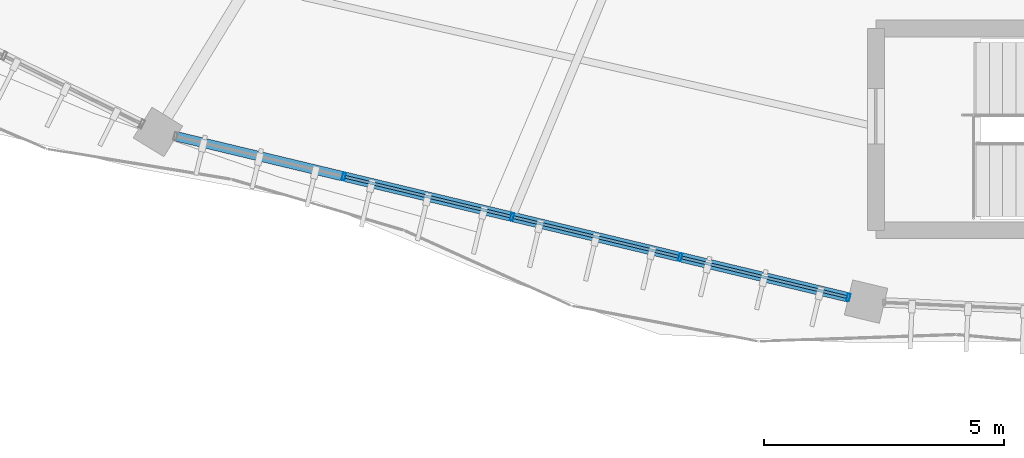
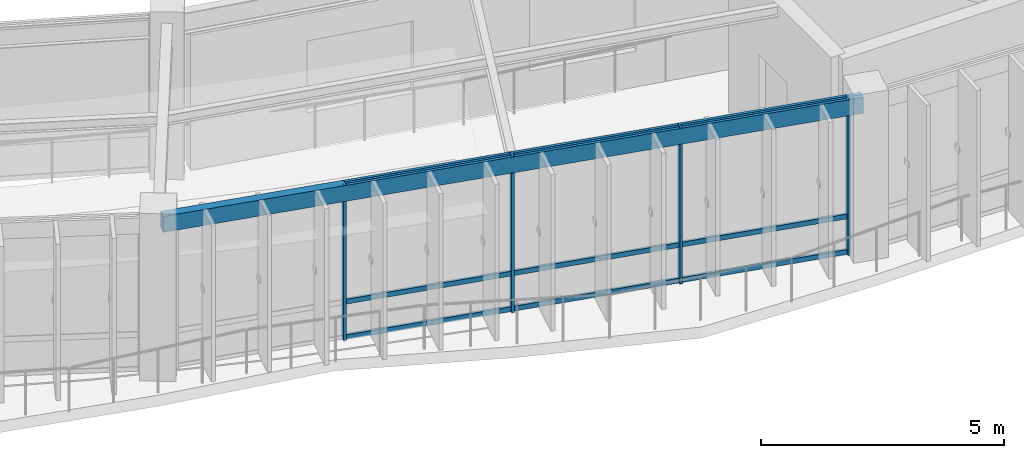
# One storey, part 33 of 152: 13 members, 1 beam, 1 element without a shape of its own.
"""IFC4 building model written with IfcOpenShell, lengths in metres."""

from ifc_helpers import new_model, si_unit, direction, frame, origin, origin_2d, place, context, subcontext, project, spatial, hollow_rectangle, extrude, material, material_profile, profile_set, type_object, element, aggregate, save


model = new_model("IFC4")

# Units and contexts
model_context = context("Model", 3, precision=1e-05, world=origin(), true_north=direction((0.0, 1.0)))
body_context = subcontext(model_context, "Body", "Model", "MODEL_VIEW")
ifc_project = project(units=[si_unit("LENGTHUNIT", "METRE"), si_unit("AREAUNIT", "SQUARE_METRE"), si_unit("VOLUMEUNIT", "CUBIC_METRE"), si_unit("PLANEANGLEUNIT", "RADIAN"), si_unit("MASSUNIT", "GRAM", prefix="KILO"), si_unit("THERMODYNAMICTEMPERATUREUNIT", "KELVIN"), si_unit("POWERUNIT", "WATT")], contexts=[model_context])

# Site, building, storey
site_placement = place(None, origin())
site = spatial("IfcSite", under=ifc_project, at=site_placement, CompositionType="ELEMENT")
building_placement = place(site_placement, origin())
building = spatial("IfcBuilding", under=site, at=building_placement, Name="Darbajah Civic Hall", CompositionType="ELEMENT")
storey_placement = place(building_placement, frame((0.0, 0.0, 5.39990234375)))
storey = spatial("IfcBuildingStorey", under=building, at=storey_placement, Name="L01", CompositionType="ELEMENT", Elevation=5.39990234375)

# Curtain wall, members
ifc_material_1 = material(Name="Anodised Bronze Aluminium and Low-E Glazing", Category="aluminium")
curtain_wall_type = type_object("IfcCurtainWallType", Name="Unitised Curtain Wall CW-31 14400x3900", PredefinedType="USERDEFINED", material=ifc_material_1)
curtain_wall_placement = place(storey_placement, origin())
curtain_wall = element("IfcCurtainWall", 1, at=curtain_wall_placement, inside=storey, type_object=curtain_wall_type, Name="L01 unitised curtain wall CW-V1O-L01-13", ObjectType="UNITISED CURTAIN WALL", PredefinedType="USERDEFINED")
ifc_material_2 = material(Name="Anodised Bronze Aluminium", Category="aluminium")
ifc_material_profile_1 = material_profile(ifc_material_2, hollow_rectangle(XDim=0.06005859375, YDim=0.159912109375, WallThickness=0.00341796875, at=origin_2d()), Name="ALU MULLION 60x160")
ifc_profile_set_1 = profile_set([ifc_material_profile_1], Name="Anodised Bronze Aluminium")
member_type_1 = type_object("IfcMemberType", Name="ALU MULLION 60x160", PredefinedType="MULLION", material=ifc_profile_set_1)
member_1_placement = place(storey_placement, frame((66.3212890625, 63.72021484375, 0.0), z_axis=(0.0, 0.0, 1.0), x_axis=(0.972492018808, -0.232936200179, 0.0)))
member_1 = element("IfcMember", 2, at=member_1_placement, type_object=member_type_1, Name="CW-V1O-L01-13 mullion 2", PredefinedType="MULLION", context=body_context, shape_type="SweptSolid", body=[
    extrude(hollow_rectangle(XDim=0.06005859375, YDim=0.159912109375, WallThickness=0.00341796875, at=origin_2d()), origin(), (0.0, 0.0, 1.0), 3.920166015625),
])
member_2_placement = place(storey_placement, frame((69.823486328125, 62.881103515625, 0.0), z_axis=(0.0, 0.0, 1.0), x_axis=(0.972492018808, -0.232936200179, 0.0)))
member_2 = element("IfcMember", 3, at=member_2_placement, type_object=member_type_1, Name="CW-V1O-L01-13 mullion 3", PredefinedType="MULLION", context=body_context, shape_type="SweptSolid", body=[
    extrude(hollow_rectangle(XDim=0.06005859375, YDim=0.159912109375, WallThickness=0.00341796875, at=origin_2d()), origin(), (0.0, 0.0, 1.0), 3.920166015625),
])
member_3_placement = place(storey_placement, frame((73.32568359375, 62.0419921875, 0.0), z_axis=(0.0, 0.0, 1.0), x_axis=(0.972492018808, -0.232936200179, 0.0)))
member_3 = element("IfcMember", 4, at=member_3_placement, type_object=member_type_1, Name="CW-V1O-L01-13 mullion 4", PredefinedType="MULLION", context=body_context, shape_type="SweptSolid", body=[
    extrude(hollow_rectangle(XDim=0.06005859375, YDim=0.159912109375, WallThickness=0.00341796875, at=origin_2d()), origin(), (0.0, 0.0, 1.0), 3.920166015625),
])
member_4_placement = place(storey_placement, frame((76.82763671875, 61.202880859375, 0.0), z_axis=(0.0, 0.0, 1.0), x_axis=(0.972492018808, -0.232936200179, 0.0)))
member_4 = element("IfcMember", 5, at=member_4_placement, type_object=member_type_1, Name="CW-V1O-L01-13 mullion 5", PredefinedType="MULLION", context=body_context, shape_type="SweptSolid", body=[
    extrude(hollow_rectangle(XDim=0.06005859375, YDim=0.159912109375, WallThickness=0.00341796875, at=origin_2d()), origin(), (0.0, 0.0, 1.0), 3.920166015625),
])
ifc_material_profile_2 = material_profile(ifc_material_2, hollow_rectangle(XDim=0.06005859375, YDim=0.1201171875, WallThickness=0.003173828125, at=origin_2d()), Name="ALU TRANSOM 60x120")
ifc_profile_set_2 = profile_set([ifc_material_profile_2], Name="Anodised Bronze Aluminium")
member_type_2 = type_object("IfcMemberType", Name="ALU TRANSOM 60x120", PredefinedType="USERDEFINED", material=ifc_profile_set_2)
member_5_placement = place(storey_placement, frame((66.35546875, 63.7119140625, 0.06005859375), z_axis=(0.972490763252, -0.232941441976, 0.0), x_axis=(0.232941441976, 0.972490763252, 0.0)))
member_5 = element("IfcMember", 6, at=member_5_placement, type_object=member_type_2, Name="CW-V1O-L01-13 transom 2.1", ObjectType="TRANSOM", PredefinedType="USERDEFINED", context=body_context, shape_type="SweptSolid", body=[
    extrude(hollow_rectangle(XDim=0.06005859375, YDim=0.1201171875, WallThickness=0.003173828125, at=origin_2d()), origin(), (0.0, 0.0, 1.0), 3.531005859375),
])
member_6_placement = place(storey_placement, frame((66.35546875, 63.7119140625, 0.9501953125), z_axis=(0.972490763252, -0.232941441976, 0.0), x_axis=(0.232941441976, 0.972490763252, 0.0)))
member_6 = element("IfcMember", 7, at=member_6_placement, type_object=member_type_2, Name="CW-V1O-L01-13 transom 2.2", ObjectType="TRANSOM", PredefinedType="USERDEFINED", context=body_context, shape_type="SweptSolid", body=[
    extrude(hollow_rectangle(XDim=0.06005859375, YDim=0.1201171875, WallThickness=0.003173828125, at=origin_2d()), origin(), (0.0, 0.0, 1.0), 3.531005859375),
])
member_7_placement = place(storey_placement, frame((66.35546875, 63.7119140625, 3.860107421875), z_axis=(0.972490763252, -0.232941441976, 0.0), x_axis=(0.232941441976, 0.972490763252, 0.0)))
member_7 = element("IfcMember", 8, at=member_7_placement, type_object=member_type_2, Name="CW-V1O-L01-13 transom 2.3", ObjectType="TRANSOM", PredefinedType="USERDEFINED", context=body_context, shape_type="SweptSolid", body=[
    extrude(hollow_rectangle(XDim=0.06005859375, YDim=0.1201171875, WallThickness=0.003173828125, at=origin_2d()), origin(), (0.0, 0.0, 1.0), 3.531005859375),
])
member_8_placement = place(storey_placement, frame((69.857421875, 62.872802734375, 0.06005859375), z_axis=(0.97249451467, -0.232925779889, 0.0), x_axis=(0.232925779889, 0.97249451467, 0.0)))
member_8 = element("IfcMember", 9, at=member_8_placement, type_object=member_type_2, Name="CW-V1O-L01-13 transom 3.1", ObjectType="TRANSOM", PredefinedType="USERDEFINED", context=body_context, shape_type="SweptSolid", body=[
    extrude(hollow_rectangle(XDim=0.06005859375, YDim=0.1201171875, WallThickness=0.003173828125, at=origin_2d()), origin(), (0.0, 0.0, 1.0), 3.53125),
])
member_9_placement = place(storey_placement, frame((69.857421875, 62.872802734375, 0.9501953125), z_axis=(0.97249451467, -0.232925779889, 0.0), x_axis=(0.232925779889, 0.97249451467, 0.0)))
member_9 = element("IfcMember", 10, at=member_9_placement, type_object=member_type_2, Name="CW-V1O-L01-13 transom 3.2", ObjectType="TRANSOM", PredefinedType="USERDEFINED", context=body_context, shape_type="SweptSolid", body=[
    extrude(hollow_rectangle(XDim=0.06005859375, YDim=0.1201171875, WallThickness=0.003173828125, at=origin_2d()), origin(), (0.0, 0.0, 1.0), 3.53125),
])
member_10_placement = place(storey_placement, frame((69.857421875, 62.872802734375, 3.860107421875), z_axis=(0.97249451467, -0.232925779889, 0.0), x_axis=(0.232925779889, 0.97249451467, 0.0)))
member_10 = element("IfcMember", 11, at=member_10_placement, type_object=member_type_2, Name="CW-V1O-L01-13 transom 3.3", ObjectType="TRANSOM", PredefinedType="USERDEFINED", context=body_context, shape_type="SweptSolid", body=[
    extrude(hollow_rectangle(XDim=0.06005859375, YDim=0.1201171875, WallThickness=0.003173828125, at=origin_2d()), origin(), (0.0, 0.0, 1.0), 3.53125),
])
member_11_placement = place(storey_placement, frame((73.359619140625, 62.03369140625, 0.06005859375), z_axis=(0.97249451467, -0.232925779889, 0.0), x_axis=(0.232925779889, 0.97249451467, 0.0)))
member_11 = element("IfcMember", 12, at=member_11_placement, type_object=member_type_2, Name="CW-V1O-L01-13 transom 4.1", ObjectType="TRANSOM", PredefinedType="USERDEFINED", context=body_context, shape_type="SweptSolid", body=[
    extrude(hollow_rectangle(XDim=0.06005859375, YDim=0.1201171875, WallThickness=0.003173828125, at=origin_2d()), origin(), (0.0, 0.0, 1.0), 3.53125),
])
member_12_placement = place(storey_placement, frame((73.359619140625, 62.03369140625, 0.9501953125), z_axis=(0.97249451467, -0.232925779889, 0.0), x_axis=(0.232925779889, 0.97249451467, 0.0)))
member_12 = element("IfcMember", 13, at=member_12_placement, type_object=member_type_2, Name="CW-V1O-L01-13 transom 4.2", ObjectType="TRANSOM", PredefinedType="USERDEFINED", context=body_context, shape_type="SweptSolid", body=[
    extrude(hollow_rectangle(XDim=0.06005859375, YDim=0.1201171875, WallThickness=0.003173828125, at=origin_2d()), origin(), (0.0, 0.0, 1.0), 3.53125),
])
member_13_placement = place(storey_placement, frame((73.359619140625, 62.03369140625, 3.860107421875), z_axis=(0.97249451467, -0.232925779889, 0.0), x_axis=(0.232925779889, 0.97249451467, 0.0)))
member_13 = element("IfcMember", 14, at=member_13_placement, type_object=member_type_2, Name="CW-V1O-L01-13 transom 4.3", ObjectType="TRANSOM", PredefinedType="USERDEFINED", context=body_context, shape_type="SweptSolid", body=[
    extrude(hollow_rectangle(XDim=0.06005859375, YDim=0.1201171875, WallThickness=0.003173828125, at=origin_2d()), origin(), (0.0, 0.0, 1.0), 3.53125),
])
aggregate(curtain_wall, [member_1, member_2, member_3, member_4, member_5, member_6, member_7, member_8, member_9, member_10, member_11, member_12, member_13])

# Beam
ifc_material_3 = material(Name="Steel S355JR", Category="steel")
ifc_material_profile_3 = material_profile(ifc_material_3, hollow_rectangle(XDim=0.199951171875, YDim=0.39990234375, WallThickness=0.013916015625, at=origin_2d()), Name="RHS 400x200x14")
ifc_profile_set_3 = profile_set([ifc_material_profile_3], Name="Steel S355JR")
beam_type = type_object("IfcBeamType", Name="RHS 400x200x14", PredefinedType="SPANDREL", material=ifc_profile_set_3)
beam_placement = place(storey_placement, frame((62.530517578125, 64.62841796875, 3.72021484375), z_axis=(0.972477948632, -0.232994934332, 0.0), x_axis=(0.232994934332, 0.972477948632, 0.0)))
element("IfcBeam", 15, at=beam_placement, inside=storey, type_object=beam_type, Name="L01 beam SP-RHS400", PredefinedType="SPANDREL", context=body_context, shape_type="SweptSolid", body=[
    extrude(hollow_rectangle(XDim=0.199951171875, YDim=0.39990234375, WallThickness=0.013916015625, at=origin_2d()), origin(), (0.0, 0.0, 1.0), 14.998779296875),
])

save(model, "model.ifc")
